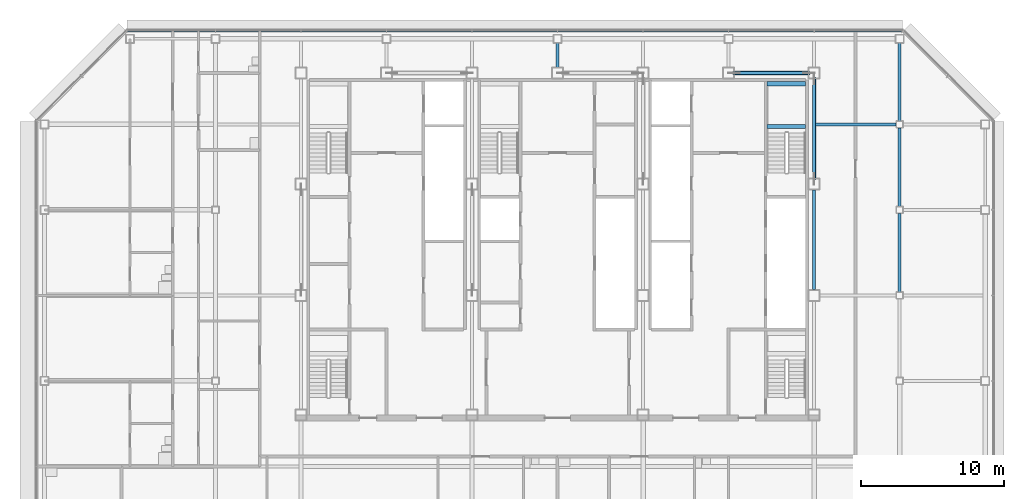
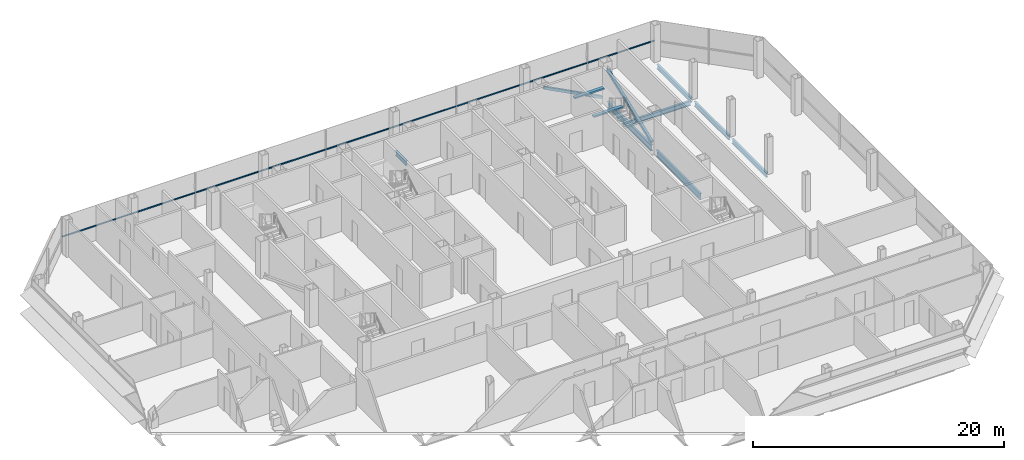
# One storey, part 15 of 28: 9 beams, 3 members, 1 element without a shape of its own.
"""IFC4 building model written with IfcOpenShell, lengths in metres."""

from ifc_helpers import new_model, si_unit, direction, frame, origin, origin_2d, place, context, subcontext, project, spatial, rectangle, hollow_rectangle, i_section, extrude, material, material_profile, profile_set, type_object, element, aggregate, save


model = new_model("IFC4")

# Units and contexts
model_context = context("Model", 3, precision=1e-05, world=origin(), true_north=direction((0.0, 1.0)))
body_context = subcontext(model_context, "Body", "Model", "MODEL_VIEW")
ifc_project = project(units=[si_unit("LENGTHUNIT", "METRE"), si_unit("AREAUNIT", "SQUARE_METRE"), si_unit("VOLUMEUNIT", "CUBIC_METRE"), si_unit("PLANEANGLEUNIT", "RADIAN"), si_unit("MASSUNIT", "GRAM", prefix="KILO")], contexts=[model_context])

# Site, building, storey
site_placement = place(None, origin())
site = spatial("IfcSite", under=ifc_project, at=site_placement, CompositionType="ELEMENT")
building_placement = place(site_placement, origin())
building = spatial("IfcBuilding", under=site, at=building_placement, Name="Sorahane Residences", CompositionType="ELEMENT")
storey_placement = place(building_placement, frame((0.0, 0.0, 273.800048828125)))
storey = spatial("IfcBuildingStorey", under=building, at=storey_placement, Name="L65", CompositionType="ELEMENT", Elevation=273.800048828125)

# Members
ifc_material_1 = material(Name="Steel Q355B", Category="steel")
ifc_material_profile_1 = material_profile(ifc_material_1, hollow_rectangle(XDim=0.25, YDim=0.25, WallThickness=0.013916015625, InnerFilletRadius=0.007080078125, OuterFilletRadius=0.02099609375, at=origin_2d()), Name="RHS 250x250x14")
ifc_profile_set_1 = profile_set([ifc_material_profile_1], Name="Steel Q355B")
member_type_1 = type_object("IfcMemberType", Name="Core brace RHS 250x250x14 Q355B", PredefinedType="BRACE", material=ifc_profile_set_1)
member_1_placement = place(storey_placement, frame((41.634765625, 45.60009765625, 0.106689453125), z_axis=(-0.886099769192, 0.0, 0.46349455125), x_axis=(0.0, -1.0, 0.0)))
element("IfcMember", 1, at=member_1_placement, inside=storey, type_object=member_type_1, Name="Core brace L65 y45.6-6", PredefinedType="BRACE", context=body_context, shape_type="SweptSolid", body=[
    extrude(hollow_rectangle(XDim=0.25, YDim=0.25, WallThickness=0.013916015625, InnerFilletRadius=0.007080078125, OuterFilletRadius=0.02099609375, at=origin_2d()), origin(), (0.0, 0.0, 1.0), 5.94677734375),
])
member_2_placement = place(storey_placement, frame((42.0, 38.1728515625, 0.114501953125), z_axis=(0.0, 0.932108763247, 0.362178482902), x_axis=(-1.0, 0.0, 0.0)))
element("IfcMember", 2, at=member_2_placement, inside=storey, type_object=member_type_1, Name="Core brace L65 x42-3", PredefinedType="BRACE", context=body_context, shape_type="SweptSolid", body=[
    extrude(hollow_rectangle(XDim=0.25, YDim=0.25, WallThickness=0.013916015625, InnerFilletRadius=0.007080078125, OuterFilletRadius=0.02099609375, at=origin_2d()), origin(), (0.0, 0.0, 1.0), 7.568115234375),
])

# Curtain wall, member
ifc_material_2 = material(Name="Dark low-e glass and black anodised aluminium", Category="aluminium")
curtain_wall_type = type_object("IfcCurtainWallType", Name="Curtain wall CW-1 Typical unitised wall", PredefinedType="NOTDEFINED", material=ifc_material_2)
curtain_wall_placement = place(storey_placement, origin())
curtain_wall = element("IfcCurtainWall", 3, at=curtain_wall_placement, inside=storey, type_object=curtain_wall_type, Name="CW-1 curtain wall L65 N1", PredefinedType="NOTDEFINED")
ifc_material_3 = material(Name="Black anodised aluminium", Category="aluminium")
ifc_material_profile_2 = material_profile(ifc_material_3, rectangle(XDim=0.10009765625, YDim=0.06005859375, at=origin_2d()), Name="Curtain wall transom CW-1 black anodised aluminium 60x100")
ifc_profile_set_2 = profile_set([ifc_material_profile_2], Name="Black anodised aluminium")
member_type_2 = type_object("IfcMemberType", Name="Curtain wall transom CW-1 black anodised aluminium 60x100", PredefinedType="USERDEFINED", material=ifc_profile_set_2)
member_3_placement = place(storey_placement, frame((48.198486328125, 48.530029296875, 1.5), z_axis=(-1.0, 0.0, 0.0), x_axis=(0.0, -1.0, 0.0)))
member_3 = element("IfcMember", 4, at=member_3_placement, type_object=member_type_2, Name="CW-1 transom L65 N1", ObjectType="TRANSOM", PredefinedType="USERDEFINED", context=body_context, shape_type="SweptSolid", body=[
    extrude(rectangle(XDim=0.10009765625, YDim=0.06005859375, at=origin_2d()), origin(), (0.0, 0.0, 1.0), 54.39697265625),
])
aggregate(curtain_wall, [member_3])

# Beams
ifc_material_4 = material(Name="Concrete C40", Category="concrete")
ifc_material_profile_3 = material_profile(ifc_material_4, rectangle(XDim=0.300048828125, YDim=0.139892578125, at=origin_2d()), Name="300x140")
ifc_profile_set_3 = profile_set([ifc_material_profile_3], Name="Concrete C40")
beam_type_1 = type_object("IfcBeamType", Name="RC landing beam 300 x 140 Concrete C40", PredefinedType="BEAM", material=ifc_profile_set_3)
for number, where, z_axis, x_axis, name in (
    (5, (38.699951171875, 41.85009765625, 1.530029296875), (1.0, 0.0, 0.0), (0.0, 1.0, 0.0), "Landing beam"),
    (6, (38.699951171875, 44.85009765625, 1.530029296875), (1.0, 0.0, 0.0), (0.0, 1.0, 0.0), "Landing beam"),
):
    element("IfcBeam", number, at=place(storey_placement, frame(where, z_axis=z_axis, x_axis=x_axis)), inside=storey, type_object=beam_type_1, Name=name, PredefinedType="BEAM", context=body_context, shape_type="SweptSolid", body=[
        extrude(rectangle(XDim=0.300048828125, YDim=0.139892578125, at=origin_2d()), origin(), (0.0, 0.0, 1.0), 2.699951171875),
    ])
ifc_material_5 = material(Name="Steel Q355B", Category="steel")
ifc_material_profile_4 = material_profile(ifc_material_5, i_section(OverallWidth=0.199951171875, OverallDepth=0.449951171875, WebThickness=0.009033203125, FlangeThickness=0.013916015625, FilletRadius=0.02001953125, at=origin_2d()), Name="HN 450x200x9x14")
ifc_profile_set_4 = profile_set([ifc_material_profile_4], Name="Steel Q355B")
beam_type_2 = type_object("IfcBeamType", Name="Steel floor beam HN 450x200x9x14 Q355B", PredefinedType="BEAM", material=ifc_profile_set_4)
beam_1_placement = place(storey_placement, frame((24.0, 46.0, -0.405029296875), z_axis=(0.0, 1.0, 0.0), x_axis=(-1.0, 0.0, 0.0)))
element("IfcBeam", 7, at=beam_1_placement, inside=storey, type_object=beam_type_2, Name="Beam L65 043", PredefinedType="BEAM", context=body_context, shape_type="SweptSolid", body=[
    extrude(i_section(OverallWidth=0.199951171875, OverallDepth=0.449951171875, WebThickness=0.009033203125, FlangeThickness=0.013916015625, FilletRadius=0.02001953125, at=origin_2d()), origin(), (0.0, 0.0, 1.0), 1.699951171875),
])
for number, where, z_axis, x_axis, name in (
    (8, (48.0, 30.25, -0.405029296875), (0.0, 1.0, 0.0), (-1.0, 0.0, 0.0), "Beam L65 061"),
    (9, (48.0, 36.25, -0.405029296875), (0.0, 1.0, 0.0), (-1.0, 0.0, 0.0), "Beam L65 062"),
):
    element("IfcBeam", number, at=place(storey_placement, frame(where, z_axis=z_axis, x_axis=x_axis)), inside=storey, type_object=beam_type_2, Name=name, PredefinedType="BEAM", context=body_context, shape_type="SweptSolid", body=[
        extrude(i_section(OverallWidth=0.199951171875, OverallDepth=0.449951171875, WebThickness=0.009033203125, FlangeThickness=0.013916015625, FilletRadius=0.02001953125, at=origin_2d()), origin(), (0.0, 0.0, 1.0), 5.5),
    ])
beam_2_placement = place(storey_placement, frame((48.0, 42.25, -0.405029296875), z_axis=(0.0, 1.0, 0.0), x_axis=(-1.0, 0.0, 0.0)))
element("IfcBeam", 10, at=beam_2_placement, inside=storey, type_object=beam_type_2, Name="Beam L65 063", PredefinedType="BEAM", context=body_context, shape_type="SweptSolid", body=[
    extrude(i_section(OverallWidth=0.199951171875, OverallDepth=0.449951171875, WebThickness=0.009033203125, FlangeThickness=0.013916015625, FilletRadius=0.02001953125, at=origin_2d()), origin(), (0.0, 0.0, 1.0), 5.449951171875),
])
beam_3_placement = place(storey_placement, frame((42.10009765625, 42.0, -0.405029296875), z_axis=(1.0, 0.0, 0.0), x_axis=(0.0, 1.0, 0.0)))
element("IfcBeam", 11, at=beam_3_placement, inside=storey, type_object=beam_type_2, Name="Beam L65 091", PredefinedType="BEAM", context=body_context, shape_type="SweptSolid", body=[
    extrude(i_section(OverallWidth=0.199951171875, OverallDepth=0.449951171875, WebThickness=0.009033203125, FlangeThickness=0.013916015625, FilletRadius=0.02001953125, at=origin_2d()), origin(), (0.0, 0.0, 1.0), 5.64990234375),
])
ifc_material_6 = material(Name="Steel Q355B", Category="steel")
ifc_material_profile_5 = material_profile(ifc_material_6, i_section(OverallWidth=0.199951171875, OverallDepth=0.60009765625, WebThickness=0.010986328125, FlangeThickness=0.01708984375, FilletRadius=0.02392578125, at=origin_2d()), Name="HN 600x200x11x17")
ifc_profile_set_5 = profile_set([ifc_material_profile_5], Name="Steel Q355B")
beam_type_3 = type_object("IfcBeamType", Name="Steel floor beam HN 600x200x11x17 Q355B", PredefinedType="BEAM", material=ifc_profile_set_5)
for number, where, z_axis, x_axis, name in (
    (12, (42.0, 30.39990234375, -0.47998046875), (0.0, 1.0, 0.0), (-1.0, 0.0, 0.0), "Beam L65 055"),
    (13, (42.0, 38.199951171875, -0.47998046875), (0.0, 1.0, 0.0), (-1.0, 0.0, 0.0), "Beam L65 056"),
):
    element("IfcBeam", number, at=place(storey_placement, frame(where, z_axis=z_axis, x_axis=x_axis)), inside=storey, type_object=beam_type_3, Name=name, PredefinedType="BEAM", context=body_context, shape_type="SweptSolid", body=[
        extrude(i_section(OverallWidth=0.199951171875, OverallDepth=0.60009765625, WebThickness=0.010986328125, FlangeThickness=0.01708984375, FilletRadius=0.02392578125, at=origin_2d()), origin(), (0.0, 0.0, 1.0), 7.0),
    ])

save(model, "model.ifc")
